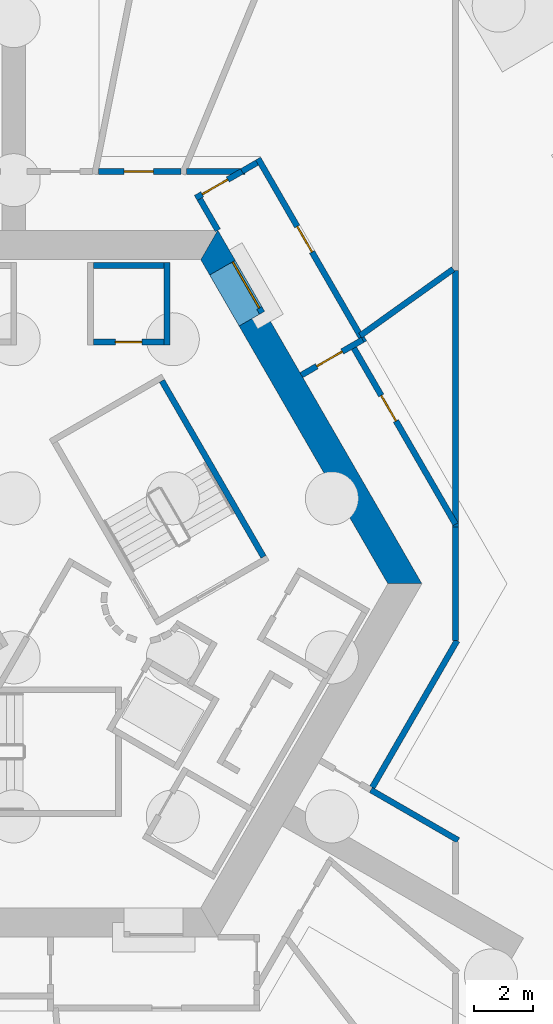
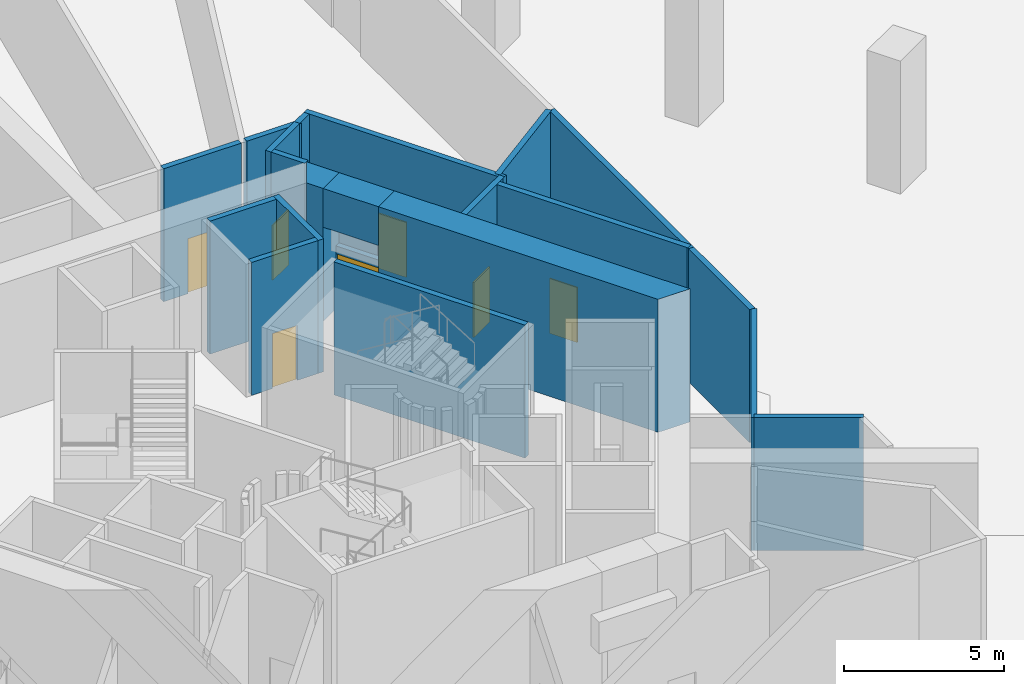
# One storey, part 8 of 14: 21 walls, 7 doors, 7 openings.
"""IFC4 building model written with IfcOpenShell, lengths in metres."""

from ifc_helpers import new_model, si_unit, direction, frame, frame_2d, origin, place, context, subcontext, project, spatial, polyline, rectangle, outline, extrude, material, layer, layer_set, type_object, element, fill, save


model = new_model("IFC4")

# Units and contexts
model_context = context("Model", 3, precision=1e-05, world=origin(), true_north=direction((0.0, 1.0)))
body_context = subcontext(model_context, "Body", "Model", "MODEL_VIEW")
ifc_project = project(units=[si_unit("LENGTHUNIT", "METRE"), si_unit("AREAUNIT", "SQUARE_METRE"), si_unit("VOLUMEUNIT", "CUBIC_METRE"), si_unit("PLANEANGLEUNIT", "RADIAN"), si_unit("MASSUNIT", "GRAM", prefix="KILO")], contexts=[model_context])

# Site, building, storey
site_placement = place(None, origin())
site = spatial("IfcSite", under=ifc_project, at=site_placement, CompositionType="ELEMENT")
building_placement = place(site_placement, origin())
building = spatial("IfcBuilding", under=site, at=building_placement, Name="Entoto Arch Interchange Tower", CompositionType="ELEMENT")
storey_placement = place(building_placement, frame((0.0, 0.0, -16.5)))
storey = spatial("IfcBuildingStorey", under=building, at=storey_placement, Name="B3", CompositionType="ELEMENT", Elevation=-16.5)

# Wall, opening, door
ifc_material_1 = material(Name="Reinforced concrete C40/50", Category="concrete")
ifc_layer_1 = layer(ifc_material_1, 0.199951171875)
ifc_layer_set_1 = layer_set([ifc_layer_1], Name="Reinforced concrete C40/50")
wall_type_1 = type_object("IfcWallType", Name="CORE GAP INFILL WALL", PredefinedType="PARTITIONING", material=ifc_layer_set_1)
wall_1_placement = place(storey_placement, frame((8.429931640625, 11.697998046875, 0.0), z_axis=(0.0, 0.0, 1.0), x_axis=(-0.50002537861, 0.866010750942, 0.0)))
wall_1 = element("IfcWall", 1, at=wall_1_placement, inside=storey, type_object=wall_type_1, Name="wall:B3:gap2", PredefinedType="PARTITIONING", context=body_context, shape_type="SweptSolid", body=[
    extrude(rectangle(XDim=2.0, YDim=0.199951171875, at=frame_2d((1.0, 0.0))), origin(), (0.0, 0.0, 1.0), 2.39990234375),
])
opening_1_placement = place(wall_1_placement, frame((0.18994140625, 0.0, 0.0)))
opening_1 = element("IfcOpeningElement", 2, at=opening_1_placement, cuts=wall_1, Name="Opening B3-D92", PredefinedType="OPENING", context=body_context, shape_type="SweptSolid", body=[
    extrude(rectangle(XDim=1.800048828125, YDim=2.10009765625, at=frame_2d((0.89990234375, 1.050048828125))), frame((0.0, 0.10986328125, 0.0), z_axis=(0.0, -1.0, 0.0), x_axis=(1.0, 0.0, 0.0)), (0.0, 0.0, 1.0), 0.219970703125),
])
ifc_material_2 = material(Name="Fire-rated Steel S235 door and frame", Category="steel")
door_type_1 = type_object("IfcDoorType", Name="DOOR FD-18 1800x2100", OperationType="DOUBLE_DOOR_SINGLE_SWING", PredefinedType="DOOR", material=ifc_material_2)
door_1_placement = place(opening_1_placement, origin())
door_1 = element("IfcDoor", 3, at=door_1_placement, inside=storey, type_object=door_type_1, Name="door:B3:gap2", OperationType="DOUBLE_DOOR_SINGLE_SWING", OverallHeight=2.10009765625, OverallWidth=1.800048828125, PredefinedType="DOOR", context=body_context, shape_type="SweptSolid", body=[
    extrude(rectangle(XDim=1.800048828125, YDim=2.10009765625, at=frame_2d((0.89990234375, 1.050048828125))), frame((0.0, 0.02490234375, 0.0), z_axis=(0.0, -1.0, 0.0), x_axis=(1.0, 0.0, 0.0)), (0.0, 0.0, 1.0), 0.050048828125),
])
fill(opening_1, door_1)

# Walls
ifc_material_3 = material(Name="Concrete C60/75", Category="concrete")
ifc_layer_2 = layer(ifc_material_3, 1.0)
ifc_layer_set_2 = layer_set([ifc_layer_2], Name="Concrete C60/75")
wall_type_2 = type_object("IfcWallType", Name="Core wall 1000 C60/75", PredefinedType="SHEAR", material=ifc_layer_set_2)
wall_2_placement = place(storey_placement, origin())
element("IfcWall", 4, at=wall_2_placement, inside=storey, type_object=wall_type_2, Name="Core wall NE B3", PredefinedType="SHEAR", context=body_context, shape_type="SweptSolid", body=[
    extrude(outline(polyline([(8.51708984375, 11.748046875), (7.65087890625, 11.248046875), (12.701904296875, 2.5), (13.85595703125, 2.5), (8.51708984375, 11.748046875)])), origin(), (0.0, 0.0, 1.0), 5.080078125),
])
wall_3_placement = place(storey_placement, origin())
element("IfcWall", 5, at=wall_3_placement, inside=storey, type_object=wall_type_2, Name="Core wall NE B3", PredefinedType="SHEAR", context=body_context, shape_type="SweptSolid", body=[
    extrude(outline(polyline([(6.65087890625, 12.97998046875), (7.51708984375, 13.47998046875), (6.927978515625, 14.5), (6.35107421875, 13.5), (6.65087890625, 12.97998046875)])), origin(), (0.0, 0.0, 1.0), 5.080078125),
])
wall_4_placement = place(storey_placement, frame((0.0, 0.0, 3.60009765625)))
element("IfcWall", 6, at=wall_4_placement, inside=storey, type_object=wall_type_2, Name="Core wall lintel NE B3", PredefinedType="SHEAR", context=body_context, shape_type="SweptSolid", body=[
    extrude(outline(polyline([(7.51708984375, 13.47998046875), (6.65087890625, 12.97998046875), (7.65087890625, 11.248046875), (8.51708984375, 11.748046875), (7.51708984375, 13.47998046875)])), origin(), (0.0, 0.0, 1.0), 1.47998046875),
])
ifc_material_4 = material(Name="Gypsum board partition on steel studs", Category="steel")
ifc_layer_3 = layer(ifc_material_4, 0.199951171875)
ifc_layer_set_3 = layer_set([ifc_layer_3], Name="Gypsum board partition on steel studs")
wall_type_3 = type_object("IfcWallType", Name="PARTITION 200", PredefinedType="PARTITIONING", material=ifc_layer_set_3)
wall_5_placement = place(storey_placement, frame((12.1240234375, -4.5, 0.0), z_axis=(0.0, 0.0, 1.0), x_axis=(0.866109535743, -0.499854250852, 0.0)))
element("IfcWall", 7, at=wall_5_placement, inside=storey, type_object=wall_type_3, Name="wall:B3:p027", PredefinedType="PARTITIONING", context=body_context, shape_type="SweptSolid", body=[
    extrude(rectangle(XDim=3.4208984375, YDim=0.199951171875, at=frame_2d((1.71044921875, 0.0))), origin(), (0.0, 0.0, 1.0), 5.080078125),
])

# Wall, opening, door
wall_6_placement = place(storey_placement, frame((11.844970703125, 10.782958984375, 0.0), z_axis=(0.0, 0.0, 1.0), x_axis=(-0.865973769406, -0.500089422704, 0.0)))
wall_6 = element("IfcWall", 8, at=wall_6_placement, inside=storey, type_object=wall_type_3, Name="wall:B3:p029", PredefinedType="PARTITIONING", context=body_context, shape_type="SweptSolid", body=[
    extrude(rectangle(XDim=2.3994140625, YDim=0.199951171875, at=frame_2d((1.19970703125, 0.0))), origin(), (0.0, 0.0, 1.0), 5.080078125),
])
opening_2_placement = place(wall_6_placement, frame((0.800048828125, 0.0, 0.0)))
opening_2 = element("IfcOpeningElement", 9, at=opening_2_placement, cuts=wall_6, Name="Opening B3-D07", PredefinedType="OPENING", context=body_context, shape_type="SweptSolid", body=[
    extrude(rectangle(XDim=1.0, YDim=2.10009765625, at=frame_2d((0.5, 1.050048828125))), frame((0.0, 0.10986328125, 0.0), z_axis=(0.0, -1.0, 0.0), x_axis=(1.0, 0.0, 0.0)), (0.0, 0.0, 1.0), 0.219970703125),
])
door_type_2 = type_object("IfcDoorType", Name="DOOR FD-10 1000x2100", OperationType="SINGLE_SWING_LEFT", PredefinedType="DOOR", material=ifc_material_2)
door_2_placement = place(opening_2_placement, origin())
door_2 = element("IfcDoor", 10, at=door_2_placement, inside=storey, type_object=door_type_2, Name="door:B3:07", OperationType="SINGLE_SWING_LEFT", OverallHeight=2.10009765625, OverallWidth=1.0, PredefinedType="DOOR", context=body_context, shape_type="SweptSolid", body=[
    extrude(rectangle(XDim=1.0, YDim=2.10009765625, at=frame_2d((0.5, 1.050048828125))), frame((0.0, 0.02490234375, 0.0), z_axis=(0.0, -1.0, 0.0), x_axis=(1.0, 0.0, 0.0)), (0.0, 0.0, 1.0), 0.050048828125),
])
fill(opening_2, door_2)

wall_7_placement = place(storey_placement, frame((6.179931640625, 15.594970703125, 0.0), z_axis=(0.0, 0.0, 1.0), x_axis=(0.866102512622, 0.499866419787, 0.0)))
wall_7 = element("IfcWall", 11, at=wall_7_placement, inside=storey, type_object=wall_type_3, Name="wall:B3:p030", PredefinedType="PARTITIONING", context=body_context, shape_type="SweptSolid", body=[
    extrude(rectangle(XDim=1.810546875, YDim=0.199951171875, at=frame_2d((0.9052734375, 0.0))), origin(), (0.0, 0.0, 1.0), 5.080078125),
])
opening_3_placement = place(wall_7_placement, frame((0.25390625, 0.0, 0.0)))
opening_3 = element("IfcOpeningElement", 12, at=opening_3_placement, cuts=wall_7, Name="Opening B3-D08", PredefinedType="OPENING", context=body_context, shape_type="SweptSolid", body=[
    extrude(rectangle(XDim=1.0, YDim=2.10009765625, at=frame_2d((0.5, 1.050048828125))), frame((0.0, 0.10986328125, 0.0), z_axis=(0.0, -1.0, 0.0), x_axis=(1.0, 0.0, 0.0)), (0.0, 0.0, 1.0), 0.219970703125),
])
door_3_placement = place(opening_3_placement, origin())
door_3 = element("IfcDoor", 13, at=door_3_placement, inside=storey, type_object=door_type_2, Name="door:B3:08", OperationType="SINGLE_SWING_RIGHT", OverallHeight=2.10009765625, OverallWidth=1.0, PredefinedType="DOOR", context=body_context, shape_type="SweptSolid", body=[
    extrude(rectangle(XDim=1.0, YDim=2.10009765625, at=frame_2d((0.5, 1.050048828125))), frame((0.0, 0.02490234375, 0.0), z_axis=(0.0, -1.0, 0.0), x_axis=(1.0, 0.0, 0.0)), (0.0, 0.0, 1.0), 0.050048828125),
])
fill(opening_3, door_3)

# Wall
wall_8_placement = place(storey_placement, frame((6.31689453125, 15.55810546875, 0.0), z_axis=(0.0, 0.0, 1.0), x_axis=(0.500114474492, -0.865959301817, 0.0)))
element("IfcWall", 14, at=wall_8_placement, inside=storey, type_object=wall_type_3, Name="wall:B3:p031", PredefinedType="PARTITIONING", context=body_context, shape_type="SweptSolid", body=[
    extrude(rectangle(XDim=1.221923828125, YDim=0.199951171875, at=frame_2d((0.61083984375, 0.0))), origin(), (0.0, 0.0, 1.0), 5.080078125),
])

# Wall, opening, door
wall_9_placement = place(storey_placement, frame((8.294921875, 16.931884765625, 0.0), z_axis=(0.0, 0.0, 1.0), x_axis=(0.499982693035, -0.866035395735, 0.0)))
wall_9 = element("IfcWall", 15, at=wall_9_placement, inside=storey, type_object=wall_type_3, Name="wall:B3:p032", PredefinedType="PARTITIONING", context=body_context, shape_type="SweptSolid", body=[
    extrude(rectangle(XDim=7.200439453125, YDim=0.199951171875, at=frame_2d((3.60009765625, 0.0))), origin(), (0.0, 0.0, 1.0), 5.080078125),
])
opening_4_placement = place(wall_9_placement, frame((2.658935546875, 0.0, 0.0)))
opening_4 = element("IfcOpeningElement", 16, at=opening_4_placement, cuts=wall_9, Name="Opening B3-D09", PredefinedType="OPENING", context=body_context, shape_type="SweptSolid", body=[
    extrude(rectangle(XDim=1.0, YDim=2.10009765625, at=frame_2d((0.5, 1.050048828125))), frame((0.0, 0.10986328125, 0.0), z_axis=(0.0, -1.0, 0.0), x_axis=(1.0, 0.0, 0.0)), (0.0, 0.0, 1.0), 0.219970703125),
])
door_4_placement = place(opening_4_placement, origin())
door_4 = element("IfcDoor", 17, at=door_4_placement, inside=storey, type_object=door_type_2, Name="door:B3:09", OperationType="SINGLE_SWING_LEFT", OverallHeight=2.10009765625, OverallWidth=1.0, PredefinedType="DOOR", context=body_context, shape_type="SweptSolid", body=[
    extrude(rectangle(XDim=1.0, YDim=2.10009765625, at=frame_2d((0.5, 1.050048828125))), frame((0.0, 0.02490234375, 0.0), z_axis=(0.0, -1.0, 0.0), x_axis=(1.0, 0.0, 0.0)), (0.0, 0.0, 1.0), 0.050048828125),
])
fill(opening_4, door_4)

# Wall
wall_10_placement = place(storey_placement, frame((7.748046875, 16.5, 0.0), z_axis=(0.0, 0.0, 1.0), x_axis=(0.865681519127, 0.500595153234, 0.0)))
element("IfcWall", 18, at=wall_10_placement, inside=storey, type_object=wall_type_3, Name="wall:B3:p033", PredefinedType="PARTITIONING", context=body_context, shape_type="SweptSolid", body=[
    extrude(rectangle(XDim=0.589111328125, YDim=0.199951171875, at=frame_2d((0.29443359375, 0.0))), origin(), (0.0, 0.0, 1.0), 5.080078125),
])

# Wall, opening, door
wall_11_placement = place(storey_placement, frame((11.4990234375, 10.5830078125, 0.0), z_axis=(0.0, 0.0, 1.0), x_axis=(0.499994090379, -0.866028815679, 0.0)))
wall_11 = element("IfcWall", 19, at=wall_11_placement, inside=storey, type_object=wall_type_3, Name="wall:B3:p034", PredefinedType="PARTITIONING", context=body_context, shape_type="SweptSolid", body=[
    extrude(rectangle(XDim=7.001953125, YDim=0.199951171875, at=frame_2d((3.5009765625, 0.0))), origin(), (0.0, 0.0, 1.0), 5.080078125),
])
opening_5_placement = place(wall_11_placement, frame((1.951904296875, 0.0, 0.0)))
opening_5 = element("IfcOpeningElement", 20, at=opening_5_placement, cuts=wall_11, Name="Opening B3-D10", PredefinedType="OPENING", context=body_context, shape_type="SweptSolid", body=[
    extrude(rectangle(XDim=1.0, YDim=2.10009765625, at=frame_2d((0.5, 1.050048828125))), frame((0.0, 0.10986328125, 0.0), z_axis=(0.0, -1.0, 0.0), x_axis=(1.0, 0.0, 0.0)), (0.0, 0.0, 1.0), 0.219970703125),
])
door_5_placement = place(opening_5_placement, origin())
door_5 = element("IfcDoor", 21, at=door_5_placement, inside=storey, type_object=door_type_2, Name="door:B3:10", OperationType="SINGLE_SWING_RIGHT", OverallHeight=2.10009765625, OverallWidth=1.0, PredefinedType="DOOR", context=body_context, shape_type="SweptSolid", body=[
    extrude(rectangle(XDim=1.0, YDim=2.10009765625, at=frame_2d((0.5, 1.050048828125))), frame((0.0, 0.02490234375, 0.0), z_axis=(0.0, -1.0, 0.0), x_axis=(1.0, 0.0, 0.0)), (0.0, 0.0, 1.0), 0.050048828125),
])
fill(opening_5, door_5)

# Walls
wall_12_placement = place(storey_placement, frame((15.0, 4.4189453125, 0.0), z_axis=(0.0, 0.0, 1.0), x_axis=(0.0, -1.0, 0.0)))
element("IfcWall", 22, at=wall_12_placement, inside=storey, type_object=wall_type_3, Name="wall:B3:p035", PredefinedType="PARTITIONING", context=body_context, shape_type="SweptSolid", body=[
    extrude(rectangle(XDim=3.837890625, YDim=0.199951171875, at=frame_2d((1.9189453125, 0.0))), origin(), (0.0, 0.0, 1.0), 5.080078125),
])
wall_13_placement = place(storey_placement, frame((15.050048828125, 0.568115234375, 0.0), z_axis=(0.0, 0.0, 1.0), x_axis=(-0.500047946832, -0.865997719899, 0.0)))
element("IfcWall", 23, at=wall_13_placement, inside=storey, type_object=wall_type_3, Name="wall:B3:p036", PredefinedType="PARTITIONING", context=body_context, shape_type="SweptSolid", body=[
    extrude(rectangle(XDim=5.95166015625, YDim=0.199951171875, at=frame_2d((2.975830078125, 0.0))), origin(), (0.0, 0.0, 1.0), 5.080078125),
])
wall_14_placement = place(storey_placement, frame((5.87109375, 16.5, 0.0), z_axis=(0.0, 0.0, 1.0), x_axis=(1.0, 0.0, 0.0)))
element("IfcWall", 24, at=wall_14_placement, inside=storey, type_object=wall_type_3, Name="wall:B3:p037", PredefinedType="PARTITIONING", context=body_context, shape_type="SweptSolid", body=[
    extrude(rectangle(XDim=1.976806640625, YDim=0.199951171875, at=frame_2d((0.98828125, 0.0))), origin(), (0.0, 0.0, 1.0), 5.080078125),
])

# Wall, opening, door
wall_15_placement = place(storey_placement, frame((2.8720703125, 16.5, 0.0), z_axis=(0.0, 0.0, 1.0), x_axis=(1.0, 0.0, 0.0)))
wall_15 = element("IfcWall", 25, at=wall_15_placement, inside=storey, type_object=wall_type_3, Name="wall:B3:p038", PredefinedType="PARTITIONING", context=body_context, shape_type="SweptSolid", body=[
    extrude(rectangle(XDim=2.798828125, YDim=0.199951171875, at=frame_2d((1.3994140625, 0.0))), origin(), (0.0, 0.0, 1.0), 5.080078125),
])
opening_6_placement = place(wall_15_placement, frame((0.87109375, 0.0, 0.0)))
opening_6 = element("IfcOpeningElement", 26, at=opening_6_placement, cuts=wall_15, Name="Opening B3-D11", PredefinedType="OPENING", context=body_context, shape_type="SweptSolid", body=[
    extrude(rectangle(XDim=1.0, YDim=2.10009765625, at=frame_2d((0.5, 1.050048828125))), frame((0.0, 0.10986328125, 0.0), z_axis=(0.0, -1.0, 0.0), x_axis=(1.0, 0.0, 0.0)), (0.0, 0.0, 1.0), 0.219970703125),
])
door_6_placement = place(opening_6_placement, origin())
door_6 = element("IfcDoor", 27, at=door_6_placement, inside=storey, type_object=door_type_2, Name="door:B3:11", OperationType="SINGLE_SWING_LEFT", OverallHeight=2.10009765625, OverallWidth=1.0, PredefinedType="DOOR", context=body_context, shape_type="SweptSolid", body=[
    extrude(rectangle(XDim=1.0, YDim=2.10009765625, at=frame_2d((0.5, 1.050048828125))), frame((0.0, 0.02490234375, 0.0), z_axis=(0.0, -1.0, 0.0), x_axis=(1.0, 0.0, 0.0)), (0.0, 0.0, 1.0), 0.050048828125),
])
fill(opening_6, door_6)

# Walls
wall_16_placement = place(storey_placement, frame((14.9189453125, 13.179931640625, 0.0), z_axis=(0.0, 0.0, 1.0), x_axis=(-0.81313339858, -0.582077379833, 0.0)))
element("IfcWall", 28, at=wall_16_placement, inside=storey, type_object=wall_type_3, Name="wall:B3:p040", PredefinedType="PARTITIONING", context=body_context, shape_type="SweptSolid", body=[
    extrude(rectangle(XDim=3.87890625, YDim=0.199951171875, at=frame_2d((1.939453125, 0.0))), origin(), (0.0, 0.0, 1.0), 5.080078125),
])
wall_17_placement = place(storey_placement, frame((15.0, 13.137939453125, 0.0), z_axis=(0.0, 0.0, 1.0), x_axis=(0.0, -1.0, 0.0)))
element("IfcWall", 29, at=wall_17_placement, inside=storey, type_object=wall_type_3, Name="wall:B3:p044", PredefinedType="PARTITIONING", context=body_context, shape_type="SweptSolid", body=[
    extrude(rectangle(XDim=8.718994140625, YDim=0.199951171875, at=frame_2d((4.359375, 0.0))), origin(), (0.0, 0.0, 1.0), 5.080078125),
])
wall_18_placement = place(storey_placement, frame((5.199951171875, 13.39990234375, 0.0), z_axis=(0.0, 0.0, 1.0), x_axis=(0.0, -1.0, 0.0)))
element("IfcWall", 30, at=wall_18_placement, inside=storey, type_object=wall_type_3, Name="wall:B3:p069", PredefinedType="PARTITIONING", context=body_context, shape_type="SweptSolid", body=[
    extrude(rectangle(XDim=2.7998046875, YDim=0.199951171875, at=frame_2d((1.39990234375, 0.0))), origin(), (0.0, 0.0, 1.0), 5.080078125),
])

# Wall, opening, door
wall_19_placement = place(storey_placement, frame((5.10009765625, 10.699951171875, 0.0), z_axis=(0.0, 0.0, 1.0), x_axis=(-1.0, 0.0, 0.0)))
wall_19 = element("IfcWall", 31, at=wall_19_placement, inside=storey, type_object=wall_type_3, Name="wall:B3:p070", PredefinedType="PARTITIONING", context=body_context, shape_type="SweptSolid", body=[
    extrude(rectangle(XDim=2.400146484375, YDim=0.199951171875, at=frame_2d((1.2001953125, 0.0))), origin(), (0.0, 0.0, 1.0), 5.080078125),
])
opening_7_placement = place(wall_19_placement, frame((0.75, 0.0, 0.0)))
opening_7 = element("IfcOpeningElement", 32, at=opening_7_placement, cuts=wall_19, Name="Opening B3-D25", PredefinedType="OPENING", context=body_context, shape_type="SweptSolid", body=[
    extrude(rectangle(XDim=0.89990234375, YDim=2.10009765625, at=frame_2d((0.449951171875, 1.050048828125))), frame((0.0, 0.10986328125, 0.0), z_axis=(0.0, -1.0, 0.0), x_axis=(1.0, 0.0, 0.0)), (0.0, 0.0, 1.0), 0.219970703125),
])
ifc_material_5 = material(Name="Timber door leaf in Steel S235 frame", Category="steel")
door_type_3 = type_object("IfcDoorType", Name="DOOR DS-09 900x2100", OperationType="SINGLE_SWING_LEFT", PredefinedType="DOOR", material=ifc_material_5)
door_7_placement = place(opening_7_placement, origin())
door_7 = element("IfcDoor", 33, at=door_7_placement, inside=storey, type_object=door_type_3, Name="door:B3:25", OperationType="SINGLE_SWING_RIGHT", OverallHeight=2.10009765625, OverallWidth=0.89990234375, PredefinedType="DOOR", context=body_context, shape_type="SweptSolid", body=[
    extrude(rectangle(XDim=0.89990234375, YDim=2.10009765625, at=frame_2d((0.449951171875, 1.050048828125))), frame((0.0, 0.02490234375, 0.0), z_axis=(0.0, -1.0, 0.0), x_axis=(1.0, 0.0, 0.0)), (0.0, 0.0, 1.0), 0.050048828125),
])
fill(opening_7, door_7)

# Walls
wall_20_placement = place(storey_placement, frame((2.699951171875, 13.300048828125, 0.0), z_axis=(0.0, 0.0, 1.0), x_axis=(1.0, 0.0, 0.0)))
element("IfcWall", 34, at=wall_20_placement, inside=storey, type_object=wall_type_3, Name="wall:B3:p072", PredefinedType="PARTITIONING", context=body_context, shape_type="SweptSolid", body=[
    extrude(rectangle(XDim=2.400146484375, YDim=0.199951171875, at=frame_2d((1.2001953125, 0.0))), origin(), (0.0, 0.0, 1.0), 5.080078125),
])
ifc_material_6 = material(Name="Concrete C40/50", Category="concrete")
ifc_layer_4 = layer(ifc_material_6, 0.199951171875)
ifc_layer_set_4 = layer_set([ifc_layer_4], Name="Concrete C40/50")
wall_type_4 = type_object("IfcWallType", Name="STAIR ENCLOSURE WALL 200", PredefinedType="STANDARD", material=ifc_layer_set_4)
wall_21_placement = place(storey_placement, frame((8.47998046875, 3.412109375, 0.0), z_axis=(0.0, 0.0, 1.0), x_axis=(-0.499978703459, 0.866037698999, 0.0)))
element("IfcWall", 35, at=wall_21_placement, inside=storey, type_object=wall_type_4, Name="Stair wall ST-NE back", PredefinedType="STANDARD", context=body_context, shape_type="SweptSolid", body=[
    extrude(rectangle(XDim=6.900146484375, YDim=0.199951171875, at=frame_2d((3.4501953125, 0.0))), origin(), (0.0, 0.0, 1.0), 5.080078125),
])

save(model, "model.ifc")
